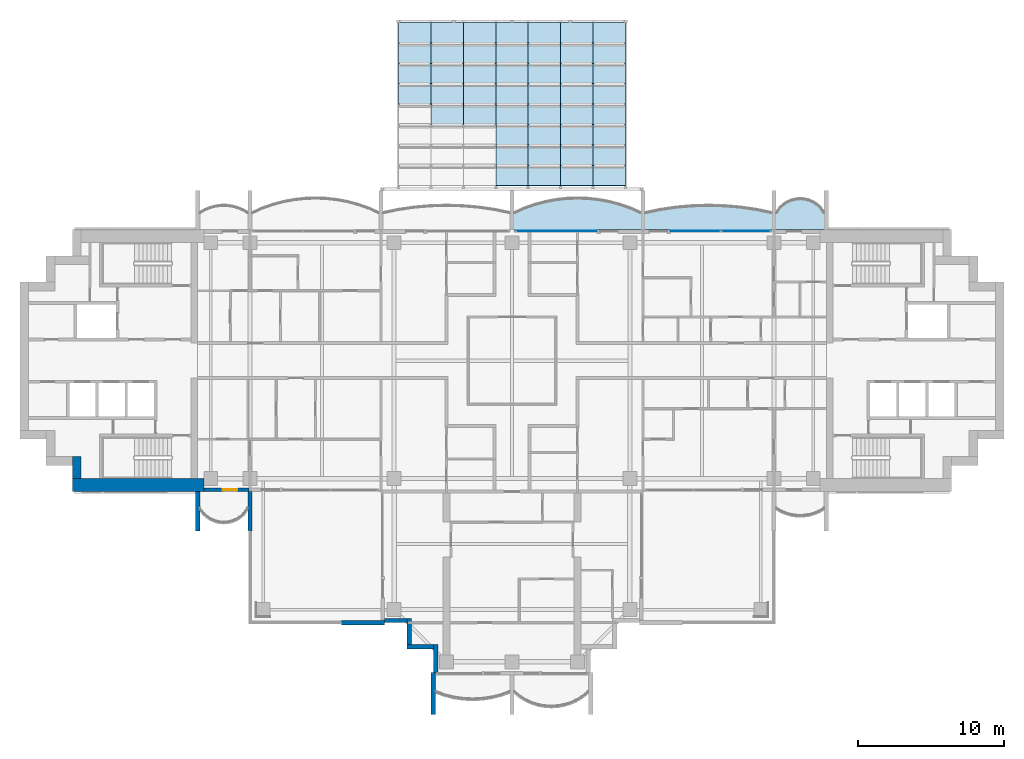
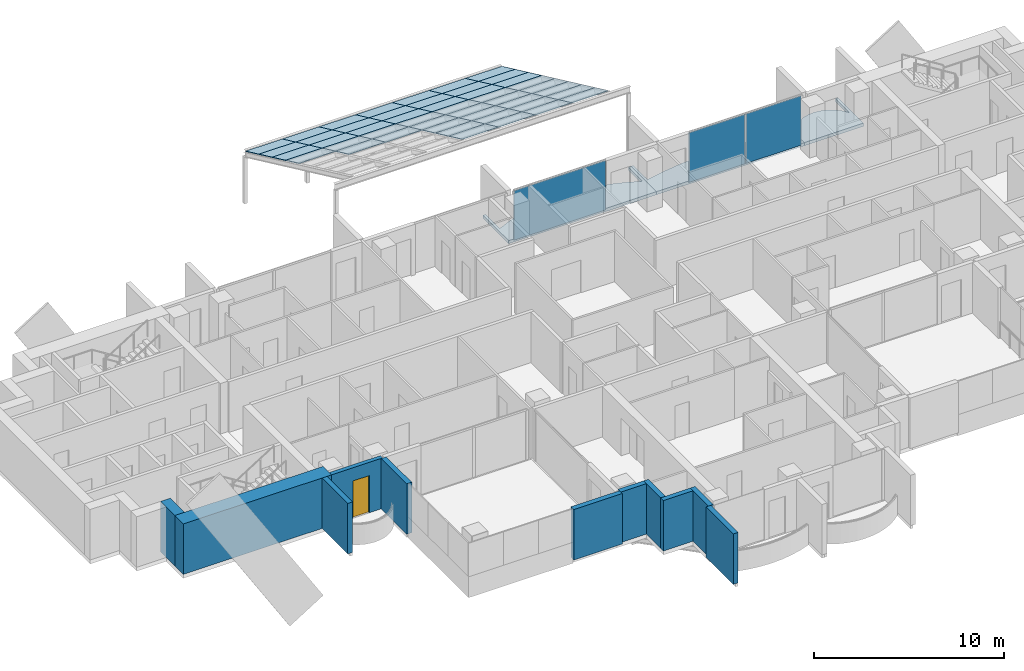
# One storey, part 9 of 20: 49 plates, 11 walls, 3 slabs, 1 door, 1 opening, 2 elements without a shape of their own.
"""IFC4 building model written with IfcOpenShell, lengths in metres."""

from ifc_helpers import new_model, si_unit, direction, frame, frame_2d, origin, origin_2d, place, context, subcontext, project, spatial, polyline, rectangle, outline, extrude, material, layer, layer_set, type_object, element, fill, aggregate, save


model = new_model("IFC4")

# Units and contexts
model_context = context("Model", 3, precision=1e-05, world=origin(), true_north=direction((0.0, 1.0)))
body_context = subcontext(model_context, "Body", "Model", "MODEL_VIEW")
ifc_project = project(units=[si_unit("LENGTHUNIT", "METRE"), si_unit("AREAUNIT", "SQUARE_METRE"), si_unit("VOLUMEUNIT", "CUBIC_METRE"), si_unit("PLANEANGLEUNIT", "RADIAN"), si_unit("MASSUNIT", "GRAM", prefix="KILO")], contexts=[model_context])

# Site, building, storey
site_placement = place(None, origin())
site = spatial("IfcSite", under=ifc_project, at=site_placement, CompositionType="ELEMENT")
building_placement = place(site_placement, origin())
building = spatial("IfcBuilding", under=site, at=building_placement, Name="Perihelion Cross Residences", CompositionType="ELEMENT")
storey_placement = place(building_placement, frame((0.0, 0.0, 170.10009765625)))
storey = spatial("IfcBuildingStorey", under=building, at=storey_placement, Name="L41", CompositionType="ELEMENT", Elevation=170.10009765625)

# Slabs
ifc_material_1 = material(Name="Concrete C40/50", Category="concrete")
ifc_layer_1 = layer(ifc_material_1, 0.199951171875)
ifc_layer_set_1 = layer_set([ifc_layer_1], Name="Balcony slab 200")
slab_type = type_object("IfcSlabType", Name="Balcony slab 200", PredefinedType="FLOOR", material=ifc_layer_set_1)
slab_1_placement = place(storey_placement, frame((0.0, 0.0, -0.2001953125)))
element("IfcSlab", 1, at=slab_1_placement, inside=storey, type_object=slab_type, Name="Slab BK1 L41 east side north bay 1 balcony", PredefinedType="FLOOR", context=body_context, shape_type="SweptSolid", body=[
    extrude(outline(polyline([(21.60009765625, 9.0), (18.0, 9.0), (18.0, 11.699951171875), (18.14990234375, 11.699951171875), (18.14990234375, 10.199951171875), (18.425048828125, 10.568603515625), (18.699951171875, 10.806396484375), (18.97509765625, 10.96875), (19.25, 11.07568359375), (19.52490234375, 11.136962890625), (19.800048828125, 11.156982421875), (20.074951171875, 11.136962890625), (20.35009765625, 11.07568359375), (20.625, 10.96875), (20.89990234375, 10.806396484375), (21.175048828125, 10.568603515625), (21.449951171875, 10.199951171875), (21.449951171875, 11.699951171875), (21.60009765625, 11.699951171875), (21.60009765625, 9.0)])), origin(), (0.0, 0.0, 1.0), 0.2001953125),
])
slab_2_placement = place(storey_placement, frame((0.0, 0.0, -0.2001953125)))
element("IfcSlab", 2, at=slab_2_placement, inside=storey, type_object=slab_type, Name="Slab BK1 L41 east side north bay 2 balcony", PredefinedType="FLOOR", context=body_context, shape_type="SweptSolid", body=[
    extrude(outline(polyline([(18.0, 9.0), (9.0, 9.0), (9.0, 11.699951171875), (9.14990234375, 11.699951171875), (9.14990234375, 10.199951171875), (10.237548828125, 10.42041015625), (11.324951171875, 10.576171875), (12.41259765625, 10.669189453125), (13.5, 10.699951171875), (14.58740234375, 10.669189453125), (15.675048828125, 10.576171875), (16.762451171875, 10.42041015625), (17.85009765625, 10.199951171875), (17.85009765625, 11.699951171875), (18.0, 11.699951171875), (18.0, 9.0)])), origin(), (0.0, 0.0, 1.0), 0.2001953125),
])
slab_3_placement = place(storey_placement, frame((0.0, 0.0, -0.2001953125)))
element("IfcSlab", 3, at=slab_3_placement, inside=storey, type_object=slab_type, Name="Slab BK1 L41 north side east bay 1 balcony", PredefinedType="FLOOR", context=body_context, shape_type="SweptSolid", body=[
    extrude(outline(polyline([(9.0, 9.0), (0.0, 9.0), (0.0, 11.699951171875), (0.14990234375, 11.699951171875), (0.14990234375, 10.199951171875), (0.875, 10.51708984375), (1.60009765625, 10.7685546875), (2.324951171875, 10.959716796875), (3.050048828125, 11.093994140625), (3.77490234375, 11.173583984375), (4.5, 11.199951171875), (5.22509765625, 11.173583984375), (5.949951171875, 11.093994140625), (6.675048828125, 10.959716796875), (7.39990234375, 10.7685546875), (8.125, 10.51708984375), (8.85009765625, 10.199951171875), (8.85009765625, 11.699951171875), (9.0, 11.699951171875), (9.0, 9.0)])), origin(), (0.0, 0.0, 1.0), 0.2001953125),
])

# Curtain wall, plates
ifc_material_2 = material(Name="Bronze anodised aluminium, tinted glazing", Category="aluminium")
curtain_wall_type = type_object("IfcCurtainWallType", Name="CW1", PredefinedType="NOTDEFINED", material=ifc_material_2)
curtain_wall_1_placement = place(storey_placement, origin())
curtain_wall_1 = element("IfcCurtainWall", 4, at=curtain_wall_1_placement, inside=storey, type_object=curtain_wall_type, Name="Curtain wall CW1 L41 east side north bay 2", PredefinedType="NOTDEFINED")
ifc_material_3 = material(Name="Tinted laminated glass", Category="glass")
ifc_layer_2 = layer(ifc_material_3, 0.028076171875)
ifc_layer_set_2 = layer_set([ifc_layer_2], Name="CW1 panel")
plate_type_1 = type_object("IfcPlateType", Name="CW1 panel", PredefinedType="CURTAIN_PANEL", material=ifc_layer_set_2)
plate_1_placement = place(storey_placement, frame((16.06005859375, 8.89990234375, 0.0), z_axis=(0.0, 0.0, 1.0), x_axis=(-1.0, 0.0, 0.0)))
plate_1 = element("IfcPlate", 5, at=plate_1_placement, type_object=plate_type_1, Name="CW1 panel 1", PredefinedType="CURTAIN_PANEL", context=body_context, shape_type="SweptSolid", body=[
    extrude(rectangle(XDim=3.360107421875, YDim=0.028076171875, at=origin_2d()), origin(), (0.0, 0.0, 1.0), 3.18994140625),
])
plate_2_placement = place(storey_placement, frame((12.610107421875, 8.89990234375, 0.0), z_axis=(0.0, 0.0, 1.0), x_axis=(-1.0, 0.0, 0.0)))
plate_2 = element("IfcPlate", 6, at=plate_2_placement, type_object=plate_type_1, Name="CW1 panel 2", PredefinedType="CURTAIN_PANEL", context=body_context, shape_type="SweptSolid", body=[
    extrude(rectangle(XDim=3.419921875, YDim=0.028076171875, at=origin_2d()), origin(), (0.0, 0.0, 1.0), 3.18994140625),
])
aggregate(curtain_wall_1, [plate_1, plate_2])

# Curtain wall, plate
curtain_wall_2_placement = place(storey_placement, origin())
curtain_wall_2 = element("IfcCurtainWall", 7, at=curtain_wall_2_placement, inside=storey, type_object=curtain_wall_type, Name="Curtain wall CW1 L41 north side east bay 1", PredefinedType="NOTDEFINED")
plate_3_placement = place(storey_placement, frame((3.04248046875, 8.89990234375, 0.0), z_axis=(0.0, 0.0, 1.0), x_axis=(-1.0, 0.0, 0.0)))
plate_3 = element("IfcPlate", 8, at=plate_3_placement, type_object=plate_type_1, Name="CW1 panel 1", PredefinedType="CURTAIN_PANEL", context=body_context, shape_type="SweptSolid", body=[
    extrude(rectangle(XDim=5.56494140625, YDim=0.028076171875, at=origin_2d()), origin(), (0.0, 0.0, 1.0), 3.18994140625),
])
aggregate(curtain_wall_2, [plate_3])

# Plates
ifc_material_4 = material(Name="Tinted laminated glass", Category="glass")
ifc_layer_3 = layer(ifc_material_4, 0.033935546875)
ifc_layer_set_3 = layer_set([ifc_layer_3], Name="Canopy glass panel")
plate_type_2 = type_object("IfcPlateType", Name="Canopy glass panel", PredefinedType="SHEET", material=ifc_layer_set_3)
plate_4_placement = place(storey_placement, frame((-7.800048828125, 23.225341796875, -0.13232421875), z_axis=(0.0, 0.422591396254, 0.906320314134), x_axis=(1.0, 0.0, 0.0)))
element("IfcPlate", 9, at=plate_4_placement, inside=storey, type_object=plate_type_2, Name="Canopy SC6 L41 panel 1 1", PredefinedType="SHEET", context=body_context, shape_type="SweptSolid", body=[
    extrude(outline(polyline([(0.0, 0.0), (2.228515625, 0.0), (2.228515625, -1.545408112101235), (0.0, -1.545408112101235), (0.0, 0.0)])), origin(), (0.0, 0.0, -1.0), 0.033935546875),
])
plate_5_placement = place(storey_placement, frame((-5.571533203125, 23.225341796875, -0.13232421875), z_axis=(0.0, 0.422591396254, 0.906320314134), x_axis=(1.0, 0.0, 0.0)))
element("IfcPlate", 10, at=plate_5_placement, inside=storey, type_object=plate_type_2, Name="Canopy SC6 L41 panel 1 2", PredefinedType="SHEET", context=body_context, shape_type="SweptSolid", body=[
    extrude(outline(polyline([(0.0, 0.0), (2.228759765625, 0.0), (2.228759765625, -1.5454081121012349), (0.0, -1.545408112101235), (0.0, 0.0)])), origin(), (0.0, 0.0, -1.0), 0.033935546875),
])
for number, where, z_axis, x_axis, name in (
    (11, (-3.3427734375, 23.225341796875, -0.13232421875), (0.0, 0.422591396254, 0.906320314134), (1.0, 0.0, 0.0), "Canopy SC6 L41 panel 1 3"),
    (12, (-1.1142578125, 23.225341796875, -0.13232421875), (0.0, 0.422591396254, 0.906320314134), (1.0, 0.0, 0.0), "Canopy SC6 L41 panel 1 4"),
    (13, (1.1142578125, 23.225341796875, -0.13232421875), (0.0, 0.422591396254, 0.906320314134), (1.0, 0.0, 0.0), "Canopy SC6 L41 panel 1 5"),
):
    element("IfcPlate", number, at=place(storey_placement, frame(where, z_axis=z_axis, x_axis=x_axis)), inside=storey, type_object=plate_type_2, Name=name, PredefinedType="SHEET", context=body_context, shape_type="SweptSolid", body=[
        extrude(outline(polyline([(0.0, 0.0), (2.228515625, 0.0), (2.228515625, -1.545408112101235), (0.0, -1.545408112101235), (0.0, 0.0)])), origin(), (0.0, 0.0, -1.0), 0.033935546875),
    ])
plate_6_placement = place(storey_placement, frame((3.3427734375, 23.225341796875, -0.13232421875), z_axis=(0.0, 0.422591396254, 0.906320314134), x_axis=(1.0, 0.0, 0.0)))
element("IfcPlate", 14, at=plate_6_placement, inside=storey, type_object=plate_type_2, Name="Canopy SC6 L41 panel 1 6", PredefinedType="SHEET", context=body_context, shape_type="SweptSolid", body=[
    extrude(outline(polyline([(0.0, 0.0), (2.228759765625, 0.0), (2.228759765625, -1.5454081121012349), (0.0, -1.545408112101235), (0.0, 0.0)])), origin(), (0.0, 0.0, -1.0), 0.033935546875),
])
for number, where, z_axis, x_axis, name in (
    (15, (5.571533203125, 23.225341796875, -0.13232421875), (0.0, 0.422591396254, 0.906320314134), (1.0, 0.0, 0.0), "Canopy SC6 L41 panel 1 7"),
    (16, (-7.800048828125, 21.82470703125, 0.520751953125), (0.0, 0.422591396254, 0.906320314134), (1.0, 0.0, 0.0), "Canopy SC6 L41 panel 2 1"),
):
    element("IfcPlate", number, at=place(storey_placement, frame(where, z_axis=z_axis, x_axis=x_axis)), inside=storey, type_object=plate_type_2, Name=name, PredefinedType="SHEET", context=body_context, shape_type="SweptSolid", body=[
        extrude(outline(polyline([(0.0, 0.0), (2.228515625, 0.0), (2.228515625, -1.545408112101235), (0.0, -1.545408112101235), (0.0, 0.0)])), origin(), (0.0, 0.0, -1.0), 0.033935546875),
    ])
plate_7_placement = place(storey_placement, frame((-5.571533203125, 21.82470703125, 0.520751953125), z_axis=(0.0, 0.422591396254, 0.906320314134), x_axis=(1.0, 0.0, 0.0)))
element("IfcPlate", 17, at=plate_7_placement, inside=storey, type_object=plate_type_2, Name="Canopy SC6 L41 panel 2 2", PredefinedType="SHEET", context=body_context, shape_type="SweptSolid", body=[
    extrude(outline(polyline([(0.0, 0.0), (2.228759765625, 0.0), (2.228759765625, -1.5454081121012349), (0.0, -1.545408112101235), (0.0, 0.0)])), origin(), (0.0, 0.0, -1.0), 0.033935546875),
])
for number, where, z_axis, x_axis, name in (
    (18, (-3.3427734375, 21.82470703125, 0.520751953125), (0.0, 0.422591396254, 0.906320314134), (1.0, 0.0, 0.0), "Canopy SC6 L41 panel 2 3"),
    (19, (-1.1142578125, 21.82470703125, 0.520751953125), (0.0, 0.422591396254, 0.906320314134), (1.0, 0.0, 0.0), "Canopy SC6 L41 panel 2 4"),
    (20, (1.1142578125, 21.82470703125, 0.520751953125), (0.0, 0.422591396254, 0.906320314134), (1.0, 0.0, 0.0), "Canopy SC6 L41 panel 2 5"),
):
    element("IfcPlate", number, at=place(storey_placement, frame(where, z_axis=z_axis, x_axis=x_axis)), inside=storey, type_object=plate_type_2, Name=name, PredefinedType="SHEET", context=body_context, shape_type="SweptSolid", body=[
        extrude(outline(polyline([(0.0, 0.0), (2.228515625, 0.0), (2.228515625, -1.545408112101235), (0.0, -1.545408112101235), (0.0, 0.0)])), origin(), (0.0, 0.0, -1.0), 0.033935546875),
    ])
plate_8_placement = place(storey_placement, frame((3.3427734375, 21.82470703125, 0.520751953125), z_axis=(0.0, 0.422591396254, 0.906320314134), x_axis=(1.0, 0.0, 0.0)))
element("IfcPlate", 21, at=plate_8_placement, inside=storey, type_object=plate_type_2, Name="Canopy SC6 L41 panel 2 6", PredefinedType="SHEET", context=body_context, shape_type="SweptSolid", body=[
    extrude(outline(polyline([(0.0, 0.0), (2.228759765625, 0.0), (2.228759765625, -1.5454081121012349), (0.0, -1.545408112101235), (0.0, 0.0)])), origin(), (0.0, 0.0, -1.0), 0.033935546875),
])
for number, where, z_axis, x_axis, name in (
    (22, (5.571533203125, 21.82470703125, 0.520751953125), (0.0, 0.422591396254, 0.906320314134), (1.0, 0.0, 0.0), "Canopy SC6 L41 panel 2 7"),
    (23, (-7.800048828125, 20.424072265625, 1.173828125), (0.0, 0.422591396254, 0.906320314134), (1.0, 0.0, 0.0), "Canopy SC6 L41 panel 3 1"),
):
    element("IfcPlate", number, at=place(storey_placement, frame(where, z_axis=z_axis, x_axis=x_axis)), inside=storey, type_object=plate_type_2, Name=name, PredefinedType="SHEET", context=body_context, shape_type="SweptSolid", body=[
        extrude(outline(polyline([(0.0, 0.0), (2.228515625, 0.0), (2.228515625, -1.545408112101235), (0.0, -1.545408112101235), (0.0, 0.0)])), origin(), (0.0, 0.0, -1.0), 0.033935546875),
    ])
plate_9_placement = place(storey_placement, frame((-5.571533203125, 20.424072265625, 1.173828125), z_axis=(0.0, 0.422591396254, 0.906320314134), x_axis=(1.0, 0.0, 0.0)))
element("IfcPlate", 24, at=plate_9_placement, inside=storey, type_object=plate_type_2, Name="Canopy SC6 L41 panel 3 2", PredefinedType="SHEET", context=body_context, shape_type="SweptSolid", body=[
    extrude(outline(polyline([(0.0, 0.0), (2.228759765625, 0.0), (2.228759765625, -1.5454081121012349), (0.0, -1.545408112101235), (0.0, 0.0)])), origin(), (0.0, 0.0, -1.0), 0.033935546875),
])
for number, where, z_axis, x_axis, name in (
    (25, (-3.3427734375, 20.424072265625, 1.173828125), (0.0, 0.422591396254, 0.906320314134), (1.0, 0.0, 0.0), "Canopy SC6 L41 panel 3 3"),
    (26, (-1.1142578125, 20.424072265625, 1.173828125), (0.0, 0.422591396254, 0.906320314134), (1.0, 0.0, 0.0), "Canopy SC6 L41 panel 3 4"),
    (27, (1.1142578125, 20.424072265625, 1.173828125), (0.0, 0.422591396254, 0.906320314134), (1.0, 0.0, 0.0), "Canopy SC6 L41 panel 3 5"),
):
    element("IfcPlate", number, at=place(storey_placement, frame(where, z_axis=z_axis, x_axis=x_axis)), inside=storey, type_object=plate_type_2, Name=name, PredefinedType="SHEET", context=body_context, shape_type="SweptSolid", body=[
        extrude(outline(polyline([(0.0, 0.0), (2.228515625, 0.0), (2.228515625, -1.545408112101235), (0.0, -1.545408112101235), (0.0, 0.0)])), origin(), (0.0, 0.0, -1.0), 0.033935546875),
    ])
plate_10_placement = place(storey_placement, frame((3.3427734375, 20.424072265625, 1.173828125), z_axis=(0.0, 0.422591396254, 0.906320314134), x_axis=(1.0, 0.0, 0.0)))
element("IfcPlate", 28, at=plate_10_placement, inside=storey, type_object=plate_type_2, Name="Canopy SC6 L41 panel 3 6", PredefinedType="SHEET", context=body_context, shape_type="SweptSolid", body=[
    extrude(outline(polyline([(0.0, 0.0), (2.228759765625, 0.0), (2.228759765625, -1.5454081121012349), (0.0, -1.545408112101235), (0.0, 0.0)])), origin(), (0.0, 0.0, -1.0), 0.033935546875),
])
plate_11_placement = place(storey_placement, frame((5.571533203125, 20.424072265625, 1.173828125), z_axis=(0.0, 0.422591396254, 0.906320314134), x_axis=(1.0, 0.0, 0.0)))
element("IfcPlate", 29, at=plate_11_placement, inside=storey, type_object=plate_type_2, Name="Canopy SC6 L41 panel 3 7", PredefinedType="SHEET", context=body_context, shape_type="SweptSolid", body=[
    extrude(outline(polyline([(0.0, 0.0), (2.228515625, 0.0), (2.228515625, -1.545408112101235), (0.0, -1.545408112101235), (0.0, 0.0)])), origin(), (0.0, 0.0, -1.0), 0.033935546875),
])
plate_12_placement = place(storey_placement, frame((-7.800048828125, 19.0234375, 1.826904296875), z_axis=(0.0, 0.422721149072, 0.906259802776), x_axis=(1.0, 0.0, 0.0)))
element("IfcPlate", 30, at=plate_12_placement, inside=storey, type_object=plate_type_2, Name="Canopy SC6 L41 panel 4 1", PredefinedType="SHEET", context=body_context, shape_type="SweptSolid", body=[
    extrude(outline(polyline([(0.0, 0.0), (2.228515625, 0.0), (2.228515625, -1.5455112996683318), (0.0, -1.5455112996683318), (0.0, 0.0)])), origin(), (0.0, 0.0, -1.0), 0.033935546875),
])
plate_13_placement = place(storey_placement, frame((-5.571533203125, 19.0234375, 1.826904296875), z_axis=(0.0, 0.422721149072, 0.906259802776), x_axis=(1.0, 0.0, 0.0)))
element("IfcPlate", 31, at=plate_13_placement, inside=storey, type_object=plate_type_2, Name="Canopy SC6 L41 panel 4 2", PredefinedType="SHEET", context=body_context, shape_type="SweptSolid", body=[
    extrude(outline(polyline([(0.0, 0.0), (2.228759765625, 0.0), (2.228759765625, -1.545511299668332), (0.0, -1.5455112996683318), (0.0, 0.0)])), origin(), (0.0, 0.0, -1.0), 0.033935546875),
])
for number, where, z_axis, x_axis, name in (
    (32, (-3.3427734375, 19.0234375, 1.826904296875), (0.0, 0.422721149072, 0.906259802776), (1.0, 0.0, 0.0), "Canopy SC6 L41 panel 4 3"),
    (33, (-1.1142578125, 19.0234375, 1.826904296875), (0.0, 0.422721149072, 0.906259802776), (1.0, 0.0, 0.0), "Canopy SC6 L41 panel 4 4"),
    (34, (1.1142578125, 19.0234375, 1.826904296875), (0.0, 0.422721149072, 0.906259802776), (1.0, 0.0, 0.0), "Canopy SC6 L41 panel 4 5"),
):
    element("IfcPlate", number, at=place(storey_placement, frame(where, z_axis=z_axis, x_axis=x_axis)), inside=storey, type_object=plate_type_2, Name=name, PredefinedType="SHEET", context=body_context, shape_type="SweptSolid", body=[
        extrude(outline(polyline([(0.0, 0.0), (2.228515625, 0.0), (2.228515625, -1.5455112996683318), (0.0, -1.5455112996683318), (0.0, 0.0)])), origin(), (0.0, 0.0, -1.0), 0.033935546875),
    ])
plate_14_placement = place(storey_placement, frame((3.3427734375, 19.0234375, 1.826904296875), z_axis=(0.0, 0.422721149072, 0.906259802776), x_axis=(1.0, 0.0, 0.0)))
element("IfcPlate", 35, at=plate_14_placement, inside=storey, type_object=plate_type_2, Name="Canopy SC6 L41 panel 4 6", PredefinedType="SHEET", context=body_context, shape_type="SweptSolid", body=[
    extrude(outline(polyline([(0.0, 0.0), (2.228759765625, 0.0), (2.228759765625, -1.545511299668332), (0.0, -1.5455112996683318), (0.0, 0.0)])), origin(), (0.0, 0.0, -1.0), 0.033935546875),
])
plate_15_placement = place(storey_placement, frame((5.571533203125, 19.0234375, 1.826904296875), z_axis=(0.0, 0.422721149072, 0.906259802776), x_axis=(1.0, 0.0, 0.0)))
element("IfcPlate", 36, at=plate_15_placement, inside=storey, type_object=plate_type_2, Name="Canopy SC6 L41 panel 4 7", PredefinedType="SHEET", context=body_context, shape_type="SweptSolid", body=[
    extrude(outline(polyline([(0.0, 0.0), (2.228515625, 0.0), (2.228515625, -1.5455112996683318), (0.0, -1.5455112996683318), (0.0, 0.0)])), origin(), (0.0, 0.0, -1.0), 0.033935546875),
])
plate_16_placement = place(storey_placement, frame((-5.571533203125, 17.622802734375, 2.480224609375), z_axis=(0.0, 0.422530897865, 0.906348520355), x_axis=(1.0, 0.0, 0.0)))
element("IfcPlate", 37, at=plate_16_placement, inside=storey, type_object=plate_type_2, Name="Canopy SC6 L41 panel 5 2", PredefinedType="SHEET", context=body_context, shape_type="SweptSolid", body=[
    extrude(outline(polyline([(0.0, 0.0), (2.228759765625, 0.0), (2.228759765625, -1.5456293851525664), (0.0, -1.5456293851525664), (0.0, 0.0)])), origin(), (0.0, 0.0, -1.0), 0.033935546875),
])
for number, where, z_axis, x_axis, name in (
    (38, (-3.3427734375, 17.622802734375, 2.480224609375), (0.0, 0.422530897865, 0.906348520355), (1.0, 0.0, 0.0), "Canopy SC6 L41 panel 5 3"),
    (39, (-1.1142578125, 17.622802734375, 2.480224609375), (0.0, 0.422530897865, 0.906348520355), (1.0, 0.0, 0.0), "Canopy SC6 L41 panel 5 4"),
    (40, (1.1142578125, 17.622802734375, 2.480224609375), (0.0, 0.422530897865, 0.906348520355), (1.0, 0.0, 0.0), "Canopy SC6 L41 panel 5 5"),
):
    element("IfcPlate", number, at=place(storey_placement, frame(where, z_axis=z_axis, x_axis=x_axis)), inside=storey, type_object=plate_type_2, Name=name, PredefinedType="SHEET", context=body_context, shape_type="SweptSolid", body=[
        extrude(outline(polyline([(0.0, 0.0), (2.228515625, 0.0), (2.228515625, -1.5456293851525664), (0.0, -1.5456293851525664), (0.0, 0.0)])), origin(), (0.0, 0.0, -1.0), 0.033935546875),
    ])
plate_17_placement = place(storey_placement, frame((3.3427734375, 17.622802734375, 2.480224609375), z_axis=(0.0, 0.422530897865, 0.906348520355), x_axis=(1.0, 0.0, 0.0)))
element("IfcPlate", 41, at=plate_17_placement, inside=storey, type_object=plate_type_2, Name="Canopy SC6 L41 panel 5 6", PredefinedType="SHEET", context=body_context, shape_type="SweptSolid", body=[
    extrude(outline(polyline([(0.0, 0.0), (2.228759765625, 0.0), (2.228759765625, -1.5456293851525664), (0.0, -1.5456293851525664), (0.0, 0.0)])), origin(), (0.0, 0.0, -1.0), 0.033935546875),
])
plate_18_placement = place(storey_placement, frame((5.571533203125, 17.622802734375, 2.480224609375), z_axis=(0.0, 0.422530897865, 0.906348520355), x_axis=(1.0, 0.0, 0.0)))
element("IfcPlate", 42, at=plate_18_placement, inside=storey, type_object=plate_type_2, Name="Canopy SC6 L41 panel 5 7", PredefinedType="SHEET", context=body_context, shape_type="SweptSolid", body=[
    extrude(outline(polyline([(0.0, 0.0), (2.228515625, 0.0), (2.228515625, -1.5456293851525664), (0.0, -1.5456293851525664), (0.0, 0.0)])), origin(), (0.0, 0.0, -1.0), 0.033935546875),
])
for number, where, z_axis, x_axis, name in (
    (43, (-1.1142578125, 16.221923828125, 3.13330078125), (0.0, 0.422591396254, 0.906320314134), (1.0, 0.0, 0.0), "Canopy SC6 L41 panel 6 4"),
    (44, (1.1142578125, 16.221923828125, 3.13330078125), (0.0, 0.422591396254, 0.906320314134), (1.0, 0.0, 0.0), "Canopy SC6 L41 panel 6 5"),
):
    element("IfcPlate", number, at=place(storey_placement, frame(where, z_axis=z_axis, x_axis=x_axis)), inside=storey, type_object=plate_type_2, Name=name, PredefinedType="SHEET", context=body_context, shape_type="SweptSolid", body=[
        extrude(outline(polyline([(0.0, 0.0), (2.228515625, 0.0), (2.228515625, -1.545408112101235), (0.0, -1.545408112101235), (0.0, 0.0)])), origin(), (0.0, 0.0, -1.0), 0.033935546875),
    ])
plate_19_placement = place(storey_placement, frame((3.3427734375, 16.221923828125, 3.13330078125), z_axis=(0.0, 0.422591396254, 0.906320314134), x_axis=(1.0, 0.0, 0.0)))
element("IfcPlate", 45, at=plate_19_placement, inside=storey, type_object=plate_type_2, Name="Canopy SC6 L41 panel 6 6", PredefinedType="SHEET", context=body_context, shape_type="SweptSolid", body=[
    extrude(outline(polyline([(0.0, 0.0), (2.228759765625, 0.0), (2.228759765625, -1.5454081121012349), (0.0, -1.545408112101235), (0.0, 0.0)])), origin(), (0.0, 0.0, -1.0), 0.033935546875),
])
plate_20_placement = place(storey_placement, frame((5.571533203125, 16.221923828125, 3.13330078125), z_axis=(0.0, 0.422591396254, 0.906320314134), x_axis=(1.0, 0.0, 0.0)))
element("IfcPlate", 46, at=plate_20_placement, inside=storey, type_object=plate_type_2, Name="Canopy SC6 L41 panel 6 7", PredefinedType="SHEET", context=body_context, shape_type="SweptSolid", body=[
    extrude(outline(polyline([(0.0, 0.0), (2.228515625, 0.0), (2.228515625, -1.545408112101235), (0.0, -1.545408112101235), (0.0, 0.0)])), origin(), (0.0, 0.0, -1.0), 0.033935546875),
])
for number, where, z_axis, x_axis, name in (
    (47, (-1.1142578125, 14.8212890625, 3.786376953125), (0.0, 0.422721149072, 0.906259802776), (1.0, 0.0, 0.0), "Canopy SC6 L41 panel 7 4"),
    (48, (1.1142578125, 14.8212890625, 3.786376953125), (0.0, 0.422721149072, 0.906259802776), (1.0, 0.0, 0.0), "Canopy SC6 L41 panel 7 5"),
):
    element("IfcPlate", number, at=place(storey_placement, frame(where, z_axis=z_axis, x_axis=x_axis)), inside=storey, type_object=plate_type_2, Name=name, PredefinedType="SHEET", context=body_context, shape_type="SweptSolid", body=[
        extrude(outline(polyline([(0.0, 0.0), (2.228515625, 0.0), (2.228515625, -1.5455112996683318), (0.0, -1.5455112996683318), (0.0, 0.0)])), origin(), (0.0, 0.0, -1.0), 0.033935546875),
    ])
plate_21_placement = place(storey_placement, frame((3.3427734375, 14.8212890625, 3.786376953125), z_axis=(0.0, 0.422721149072, 0.906259802776), x_axis=(1.0, 0.0, 0.0)))
element("IfcPlate", 49, at=plate_21_placement, inside=storey, type_object=plate_type_2, Name="Canopy SC6 L41 panel 7 6", PredefinedType="SHEET", context=body_context, shape_type="SweptSolid", body=[
    extrude(outline(polyline([(0.0, 0.0), (2.228759765625, 0.0), (2.228759765625, -1.545511299668332), (0.0, -1.5455112996683318), (0.0, 0.0)])), origin(), (0.0, 0.0, -1.0), 0.033935546875),
])
plate_22_placement = place(storey_placement, frame((5.571533203125, 14.8212890625, 3.786376953125), z_axis=(0.0, 0.422721149072, 0.906259802776), x_axis=(1.0, 0.0, 0.0)))
element("IfcPlate", 50, at=plate_22_placement, inside=storey, type_object=plate_type_2, Name="Canopy SC6 L41 panel 7 7", PredefinedType="SHEET", context=body_context, shape_type="SweptSolid", body=[
    extrude(outline(polyline([(0.0, 0.0), (2.228515625, 0.0), (2.228515625, -1.5455112996683318), (0.0, -1.5455112996683318), (0.0, 0.0)])), origin(), (0.0, 0.0, -1.0), 0.033935546875),
])
for number, where, z_axis, x_axis, name in (
    (51, (-1.1142578125, 13.420654296875, 4.439697265625), (0.0, 0.422591396254, 0.906320314134), (1.0, 0.0, 0.0), "Canopy SC6 L41 panel 8 4"),
    (52, (1.1142578125, 13.420654296875, 4.439697265625), (0.0, 0.422591396254, 0.906320314134), (1.0, 0.0, 0.0), "Canopy SC6 L41 panel 8 5"),
):
    element("IfcPlate", number, at=place(storey_placement, frame(where, z_axis=z_axis, x_axis=x_axis)), inside=storey, type_object=plate_type_2, Name=name, PredefinedType="SHEET", context=body_context, shape_type="SweptSolid", body=[
        extrude(outline(polyline([(0.0, 0.0), (2.228515625, 0.0), (2.228515625, -1.545408112101235), (0.0, -1.545408112101235), (0.0, 0.0)])), origin(), (0.0, 0.0, -1.0), 0.033935546875),
    ])
plate_23_placement = place(storey_placement, frame((3.3427734375, 13.420654296875, 4.439697265625), z_axis=(0.0, 0.422591396254, 0.906320314134), x_axis=(1.0, 0.0, 0.0)))
element("IfcPlate", 53, at=plate_23_placement, inside=storey, type_object=plate_type_2, Name="Canopy SC6 L41 panel 8 6", PredefinedType="SHEET", context=body_context, shape_type="SweptSolid", body=[
    extrude(outline(polyline([(0.0, 0.0), (2.228759765625, 0.0), (2.228759765625, -1.5454081121012349), (0.0, -1.545408112101235), (0.0, 0.0)])), origin(), (0.0, 0.0, -1.0), 0.033935546875),
])
plate_24_placement = place(storey_placement, frame((5.571533203125, 13.420654296875, 4.439697265625), z_axis=(0.0, 0.422591396254, 0.906320314134), x_axis=(1.0, 0.0, 0.0)))
element("IfcPlate", 54, at=plate_24_placement, inside=storey, type_object=plate_type_2, Name="Canopy SC6 L41 panel 8 7", PredefinedType="SHEET", context=body_context, shape_type="SweptSolid", body=[
    extrude(outline(polyline([(0.0, 0.0), (2.228515625, 0.0), (2.228515625, -1.545408112101235), (0.0, -1.545408112101235), (0.0, 0.0)])), origin(), (0.0, 0.0, -1.0), 0.033935546875),
])

# Wall, opening, door
ifc_material_5 = material(Name="Concrete C30/37, bronze-clad", Category="concrete")
ifc_layer_4 = layer(ifc_material_5, 0.25)
ifc_layer_set_4 = layer_set([ifc_layer_4], Name="Bronze-clad pier wall 250")
wall_type_1 = type_object("IfcWallType", Name="Bronze-clad pier wall 250", PredefinedType="SOLIDWALL", material=ifc_layer_set_4)
wall_1_placement = place(storey_placement, frame((-21.175048828125, -8.875, 0.0), z_axis=(0.0, 0.0, 1.0), x_axis=(1.0, 0.0, 0.0)))
wall_1 = element("IfcWall", 55, at=wall_1_placement, inside=storey, type_object=wall_type_1, Name="Wall FW1 L41 west side south bay 1 pier", PredefinedType="SOLIDWALL", context=body_context, shape_type="SweptSolid", body=[
    extrude(rectangle(XDim=3.114990234375, YDim=0.25, at=frame_2d((1.5576171875, 0.0))), origin(), (0.0, 0.0, 1.0), 3.25),
])
opening_placement = place(wall_1_placement, frame((1.300048828125, 0.0, 0.0)))
opening = element("IfcOpeningElement", 56, at=opening_placement, cuts=wall_1, Name="Opening L41.E07", PredefinedType="OPENING", context=body_context, shape_type="SweptSolid", body=[
    extrude(rectangle(XDim=1.0, YDim=2.39990234375, at=frame_2d((0.5, 1.199951171875))), frame((0.0, 0.135009765625, 0.0), z_axis=(0.0, -1.0, 0.0), x_axis=(1.0, 0.0, 0.0)), (0.0, 0.0, 1.0), 0.27001953125),
])
ifc_material_6 = material(Name="Bronze anodised aluminium, glazed", Category="aluminium")
door_type = type_object("IfcDoorType", Name="Balcony door 1000 x 2400", OperationType="NOTDEFINED", PredefinedType="DOOR", material=ifc_material_6)
door_placement = place(opening_placement, origin())
door = element("IfcDoor", 57, at=door_placement, inside=storey, type_object=door_type, Name="Door L41.E07 west side south bay 1", OperationType="SINGLE_SWING_LEFT", OverallHeight=2.39990234375, OverallWidth=1.0, PredefinedType="DOOR", context=body_context, shape_type="SweptSolid", body=[
    extrude(rectangle(XDim=1.0, YDim=2.39990234375, at=frame_2d((0.5, 1.199951171875))), frame((0.0, 0.02490234375, 0.0), z_axis=(0.0, -1.0, 0.0), x_axis=(1.0, 0.0, 0.0)), (0.0, 0.0, 1.0), 0.050048828125),
])
fill(opening, door)

# Walls
ifc_material_7 = material(Name="Concrete C30/37, bronze-clad", Category="concrete")
ifc_layer_5 = layer(ifc_material_7, 0.300048828125)
ifc_layer_set_5 = layer_set([ifc_layer_5], Name="Bronze-clad serration wall 300")
wall_type_2 = type_object("IfcWallType", Name="Bronze-clad serration wall 300", PredefinedType="SOLIDWALL", material=ifc_layer_set_5)
wall_2_placement = place(storey_placement, frame((-8.75, -17.85009765625, 0.0), z_axis=(0.0, 0.0, 1.0), x_axis=(1.0, 0.0, 0.0)))
element("IfcWall", 58, at=wall_2_placement, inside=storey, type_object=wall_type_2, Name="Wall SR1 L41 south corner south-west 1", PredefinedType="SOLIDWALL", context=body_context, shape_type="SweptSolid", body=[
    extrude(rectangle(XDim=1.550048828125, YDim=0.300048828125, at=frame_2d((0.77490234375, 0.0))), origin(), (0.0, 0.0, 1.0), 3.25),
])
for number, where, z_axis, x_axis, name in (
    (59, (-7.050048828125, -17.699951171875, 0.0), (0.0, 0.0, 1.0), (0.0, -1.0, 0.0), "Wall SR1 L41 south corner south-west 2"),
    (60, (-7.199951171875, -19.64990234375, 0.0), (0.0, 0.0, 1.0), (1.0, 0.0, 0.0), "Wall SR1 L41 south corner south-west 3"),
):
    element("IfcWall", number, at=place(storey_placement, frame(where, z_axis=z_axis, x_axis=x_axis)), inside=storey, type_object=wall_type_2, Name=name, PredefinedType="SOLIDWALL", context=body_context, shape_type="SweptSolid", body=[
        extrude(rectangle(XDim=1.800048828125, YDim=0.300048828125, at=frame_2d((0.89990234375, 0.0))), origin(), (0.0, 0.0, 1.0), 3.25),
    ])
wall_3_placement = place(storey_placement, frame((-5.25, -19.5, 0.0), z_axis=(0.0, 0.0, 1.0), x_axis=(0.0, -1.0, 0.0)))
element("IfcWall", 61, at=wall_3_placement, inside=storey, type_object=wall_type_2, Name="Wall SR1 L41 south corner south-west 4", PredefinedType="SOLIDWALL", context=body_context, shape_type="SweptSolid", body=[
    extrude(rectangle(XDim=1.919921875, YDim=0.300048828125, at=frame_2d((0.9599609375, 0.0))), origin(), (0.0, 0.0, 1.0), 3.25),
])
ifc_material_8 = material(Name="Concrete C60/75", Category="concrete")
ifc_layer_6 = layer(ifc_material_8, 0.60009765625)
ifc_layer_set_6 = layer_set([ifc_layer_6], Name="Core wall, outer 600")
wall_type_3 = type_object("IfcWallType", Name="Core wall, outer 600", PredefinedType="SHEAR", material=ifc_layer_set_6)
wall_4_placement = place(storey_placement, frame((-29.89990234375, -8.10009765625, 0.0), z_axis=(0.0, 0.0, 1.0), x_axis=(0.0, 1.0, 0.0)))
element("IfcWall", 62, at=wall_4_placement, inside=storey, type_object=wall_type_3, Name="West core core wall, outer", PredefinedType="SHEAR", context=body_context, shape_type="SweptSolid", body=[
    extrude(rectangle(XDim=1.5, YDim=0.60009765625, at=frame_2d((0.75, 0.0))), origin(), (0.0, 0.0, 1.0), 3.25),
])
ifc_material_9 = material(Name="Concrete C60/75", Category="concrete")
ifc_layer_7 = layer(ifc_material_9, 0.89990234375)
ifc_layer_set_7 = layer_set([ifc_layer_7], Name="Core wall, outer 900")
wall_type_4 = type_object("IfcWallType", Name="Core wall, outer 900", PredefinedType="SHEAR", material=ifc_layer_set_7)
wall_5_placement = place(storey_placement, frame((-30.199951171875, -8.550048828125, 0.0), z_axis=(0.0, 0.0, 1.0), x_axis=(1.0, 0.0, 0.0)))
element("IfcWall", 63, at=wall_5_placement, inside=storey, type_object=wall_type_4, Name="West core core wall, outer", PredefinedType="SHEAR", context=body_context, shape_type="SweptSolid", body=[
    extrude(rectangle(XDim=9.02490234375, YDim=0.89990234375, at=frame_2d((4.512451171875, 0.0))), origin(), (0.0, 0.0, 1.0), 3.25),
])
ifc_material_10 = material(Name="Precast concrete C50/60", Category="concrete")
ifc_layer_8 = layer(ifc_material_10, 0.300048828125)
ifc_layer_set_8 = layer_set([ifc_layer_8], Name="Precast concrete C50/60 blade wall 300")
wall_type_5 = type_object("IfcWallType", Name="Precast concrete C50/60 blade wall 300", PredefinedType="SOLIDWALL", material=ifc_layer_set_8)
for number, where, z_axis, x_axis, name in (
    (64, (-21.60009765625, -9.0, 0.0), (0.0, 0.0, 1.0), (0.0, -1.0, 0.0), "Wall BL1 L41 no. 3"),
    (65, (-18.0, -9.0, 0.0), (0.0, 0.0, 1.0), (0.0, -1.0, 0.0), "Wall BL1 L41 no. 1"),
):
    element("IfcWall", number, at=place(storey_placement, frame(where, z_axis=z_axis, x_axis=x_axis)), inside=storey, type_object=wall_type_5, Name=name, PredefinedType="SOLIDWALL", context=body_context, shape_type="SweptSolid", body=[
        extrude(rectangle(XDim=2.699951171875, YDim=0.300048828125, at=frame_2d((1.35009765625, 0.0))), origin(), (0.0, 0.0, 1.0), 3.25),
    ])
wall_6_placement = place(storey_placement, frame((-8.75, -18.0, 0.0), z_axis=(0.0, 0.0, 1.0), x_axis=(-1.0, 0.0, 0.0)))
element("IfcWall", 66, at=wall_6_placement, inside=storey, type_object=wall_type_5, Name="Wall BL1 L41 no. 6", PredefinedType="SOLIDWALL", context=body_context, shape_type="SweptSolid", body=[
    extrude(rectangle(XDim=2.949951171875, YDim=0.300048828125, at=frame_2d((1.47509765625, 0.0))), origin(), (0.0, 0.0, 1.0), 3.25),
])
wall_7_placement = place(storey_placement, frame((-5.39990234375, -21.419921875, 0.0), z_axis=(0.0, 0.0, 1.0), x_axis=(0.0, -1.0, 0.0)))
element("IfcWall", 67, at=wall_7_placement, inside=storey, type_object=wall_type_5, Name="Wall BL1 L41 no. 5", PredefinedType="SOLIDWALL", context=body_context, shape_type="SweptSolid", body=[
    extrude(rectangle(XDim=2.880126953125, YDim=0.300048828125, at=frame_2d((1.43994140625, 0.0))), origin(), (0.0, 0.0, 1.0), 3.25),
])

save(model, "model.ifc")
